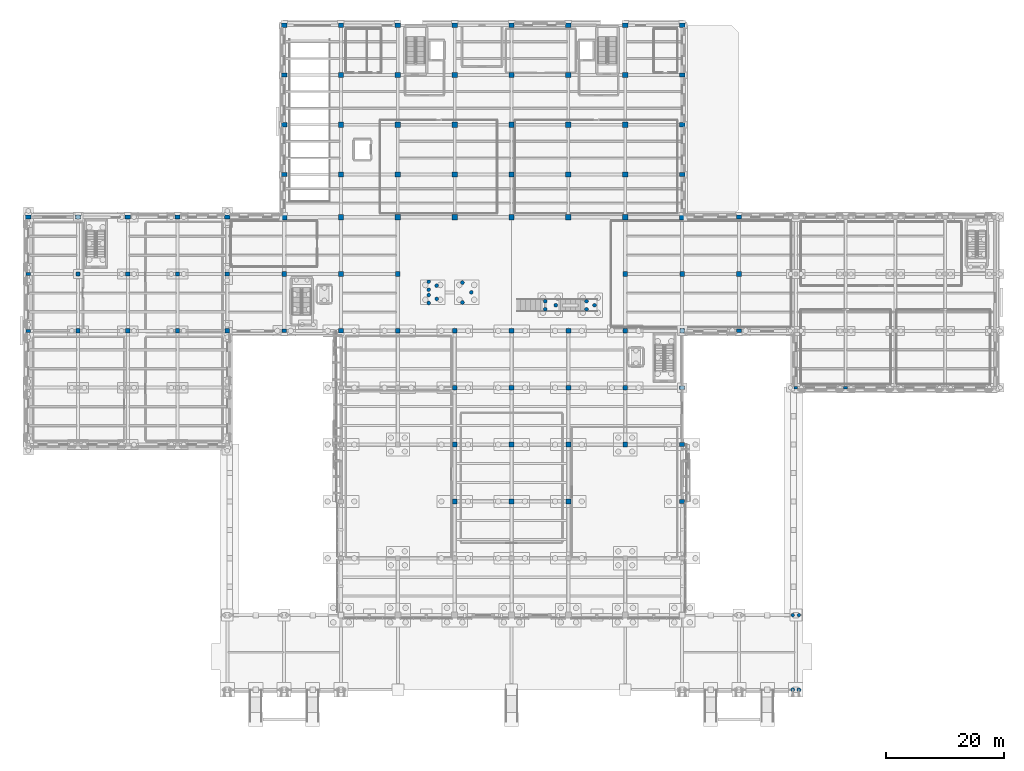
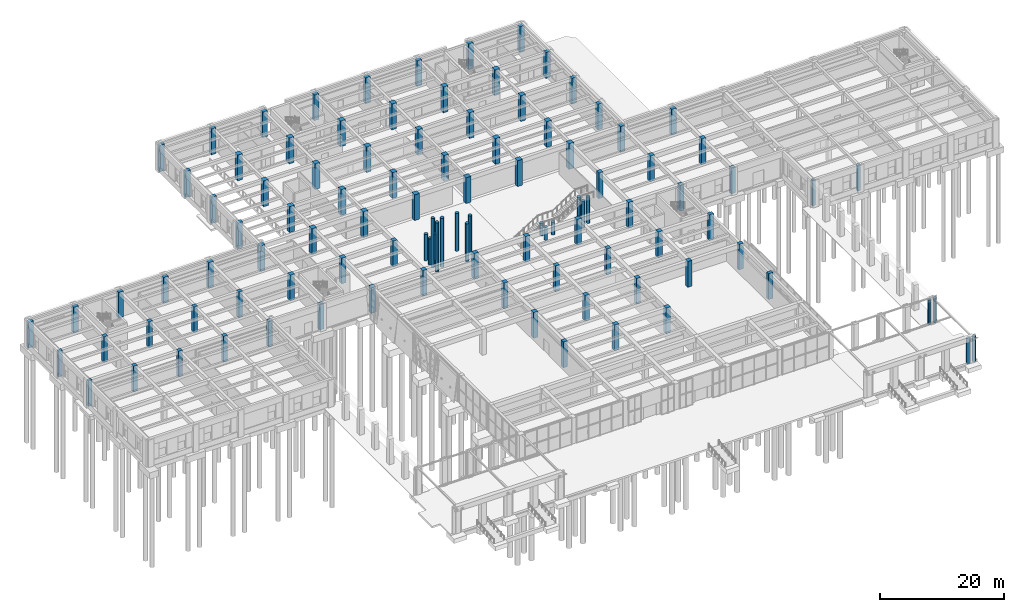
# One storey, part 10 of 51: 106 columns.
"""IFC4 building model written with IfcOpenShell, lengths in metres."""

from ifc_helpers import new_model, si_unit, direction, frame, origin, origin_2d, place, context, subcontext, project, spatial, rectangle, circle, extrude, material, material_profile, profile_set, type_object, element, save


model = new_model("IFC4")

# Units and contexts
model_context = context("Model", 3, precision=1e-05, world=origin(), true_north=direction((0.0, 1.0)))
body_context = subcontext(model_context, "Body", "Model", "MODEL_VIEW")
ifc_project = project(units=[si_unit("LENGTHUNIT", "METRE"), si_unit("AREAUNIT", "SQUARE_METRE"), si_unit("VOLUMEUNIT", "CUBIC_METRE"), si_unit("PLANEANGLEUNIT", "RADIAN"), si_unit("MASSUNIT", "GRAM", prefix="KILO")], contexts=[model_context])

# Site, building, storey
site_placement = place(None, origin())
site = spatial("IfcSite", under=ifc_project, at=site_placement, CompositionType="ELEMENT")
building_placement = place(site_placement, origin())
building = spatial("IfcBuilding", under=site, at=building_placement, Name="Bempovik Park Faculty of Sciences", CompositionType="ELEMENT")
storey_placement = place(building_placement, origin())
storey = spatial("IfcBuildingStorey", under=building, at=storey_placement, Name="L00", CompositionType="ELEMENT", Elevation=0.0)

# Columns
ifc_material_1 = material(Name="Concrete C40/50", Category="concrete")
ifc_material_profile_1 = material_profile(ifc_material_1, rectangle(XDim=0.89990234375, YDim=0.89990234375, at=origin_2d()), Name="RC 900x900")
ifc_profile_set_1 = profile_set([ifc_material_profile_1], Name="Concrete C40/50")
column_type_1 = type_object("IfcColumnType", Name="C-16 RC 900x900", PredefinedType="COLUMN", material=ifc_profile_set_1)
for number, where, z_axis, x_axis, name in (
    (1, (50.39990234375, 87.0, 0.0), (0.0, 0.0, 1.0), (1.0, 0.0, 0.0), "L00 Structural Column (50.4,87.0)"),
    (2, (60.0, 87.0, 0.0), (0.0, 0.0, 1.0), (1.0, 0.0, 0.0), "L00 Structural Column (60.0,87.0)"),
    (3, (60.0, 94.199951171875, 0.0), (0.0, 0.0, 1.0), (1.0, 0.0, 0.0), "L00 Structural Column (60.0,94.2)"),
    (4, (60.0, 102.60009765625, 0.0), (0.0, 0.0, 1.0), (1.0, 0.0, 0.0), "L00 Structural Column (60.0,102.6)"),
    (5, (60.0, 111.0, 0.0), (0.0, 0.0, 1.0), (1.0, 0.0, 0.0), "L00 Structural Column (60.0,111.0)"),
    (6, (69.60009765625, 87.0, 0.0), (0.0, 0.0, 1.0), (1.0, 0.0, 0.0), "L00 Structural Column (69.6,87.0)"),
    (7, (69.60009765625, 94.199951171875, 0.0), (0.0, 0.0, 1.0), (1.0, 0.0, 0.0), "L00 Structural Column (69.6,94.2)"),
    (8, (69.60009765625, 102.60009765625, 0.0), (0.0, 0.0, 1.0), (1.0, 0.0, 0.0), "L00 Structural Column (69.6,102.6)"),
    (9, (69.60009765625, 111.0, 0.0), (0.0, 0.0, 1.0), (1.0, 0.0, 0.0), "L00 Structural Column (69.6,111.0)"),
    (10, (79.199951171875, 87.0, 0.0), (0.0, 0.0, 1.0), (1.0, 0.0, 0.0), "L00 Structural Column (79.2,87.0)"),
    (11, (79.199951171875, 94.199951171875, 0.0), (0.0, 0.0, 1.0), (1.0, 0.0, 0.0), "L00 Structural Column (79.2,94.2)"),
    (12, (79.199951171875, 102.60009765625, 0.0), (0.0, 0.0, 1.0), (1.0, 0.0, 0.0), "L00 Structural Column (79.2,102.6)"),
    (13, (79.199951171875, 111.0, 0.0), (0.0, 0.0, 1.0), (1.0, 0.0, 0.0), "L00 Structural Column (79.2,111.0)"),
    (14, (88.800048828125, 87.0, 0.0), (0.0, 0.0, 1.0), (1.0, 0.0, 0.0), "L00 Structural Column (88.8,87.0)"),
    (15, (88.800048828125, 94.199951171875, 0.0), (0.0, 0.0, 1.0), (1.0, 0.0, 0.0), "L00 Structural Column (88.8,94.2)"),
    (16, (88.800048828125, 102.60009765625, 0.0), (0.0, 0.0, 1.0), (1.0, 0.0, 0.0), "L00 Structural Column (88.8,102.6)"),
    (17, (88.800048828125, 111.0, 0.0), (0.0, 0.0, 1.0), (1.0, 0.0, 0.0), "L00 Structural Column (88.8,111.0)"),
    (18, (98.39990234375, 87.0, 0.0), (0.0, 0.0, 1.0), (1.0, 0.0, 0.0), "L00 Structural Column (98.4,87.0)"),
    (19, (98.39990234375, 94.199951171875, 0.0), (0.0, 0.0, 1.0), (1.0, 0.0, 0.0), "L00 Structural Column (98.4,94.2)"),
    (20, (98.39990234375, 102.60009765625, 0.0), (0.0, 0.0, 1.0), (1.0, 0.0, 0.0), "L00 Structural Column (98.4,102.6)"),
    (21, (98.39990234375, 111.0, 0.0), (0.0, 0.0, 1.0), (1.0, 0.0, 0.0), "L00 Structural Column (98.4,111.0)"),
    (22, (108.0, 87.0, 0.0), (0.0, 0.0, 1.0), (1.0, 0.0, 0.0), "L00 Structural Column (108.0,87.0)"),
    (23, (108.0, 94.199951171875, 0.0), (0.0, 0.0, 1.0), (1.0, 0.0, 0.0), "L00 Structural Column (108.0,94.2)"),
    (24, (108.0, 102.60009765625, 0.0), (0.0, 0.0, 1.0), (1.0, 0.0, 0.0), "L00 Structural Column (108.0,102.6)"),
    (25, (108.0, 111.0, 0.0), (0.0, 0.0, 1.0), (1.0, 0.0, 0.0), "L00 Structural Column (108.0,111.0)"),
    (26, (117.60009765625, 87.0, 0.0), (0.0, 0.0, 1.0), (1.0, 0.0, 0.0), "L00 Structural Column (117.6,87.0)"),
):
    element("IfcColumn", number, at=place(storey_placement, frame(where, z_axis=z_axis, x_axis=x_axis)), inside=storey, type_object=column_type_1, Name=name, PredefinedType="COLUMN", context=body_context, shape_type="SweptSolid", body=[
        extrude(rectangle(XDim=0.89990234375, YDim=0.89990234375, at=origin_2d()), origin(), (0.0, 0.0, 1.0), 5.080078125),
    ])
ifc_material_profile_2 = material_profile(ifc_material_1, rectangle(XDim=0.719970703125, YDim=0.5400390625, at=origin_2d()), Name="RC 720x540")
ifc_profile_set_2 = profile_set([ifc_material_profile_2], Name="Concrete C40/50")
column_type_2 = type_object("IfcColumnType", Name="C-18 RC 720x540", PredefinedType="COLUMN", material=ifc_profile_set_2)
for number, where, z_axis, x_axis, name in (
    (27, (7.199951171875, 67.800048828125, 0.0), (0.0, 0.0, 1.0), (1.0, 0.0, 0.0), "L00 Structural Column (7.2,67.8)"),
    (28, (7.199951171875, 77.39990234375, 0.0), (0.0, 0.0, 1.0), (1.0, 0.0, 0.0), "L00 Structural Column (7.2,77.4)"),
):
    element("IfcColumn", number, at=place(storey_placement, frame(where, z_axis=z_axis, x_axis=x_axis)), inside=storey, type_object=column_type_2, Name=name, PredefinedType="COLUMN", context=body_context, shape_type="SweptSolid", body=[
        extrude(rectangle(XDim=0.719970703125, YDim=0.5400390625, at=origin_2d()), origin(), (0.0, 0.0, 1.0), 5.080078125),
    ])
ifc_material_2 = material(Name="Precast concrete C40/50", Category="concrete")
ifc_material_profile_3 = material_profile(ifc_material_2, circle(Radius=0.340087890625, at=origin_2d()), Name="RC D680")
ifc_profile_set_3 = profile_set([ifc_material_profile_3], Name="Precast concrete C40/50")
column_type_3 = type_object("IfcColumnType", Name="C-23 RC D680", PredefinedType="PILASTER", material=ifc_profile_set_3)
for number, where, z_axis, x_axis, name in (
    (29, (136.280029296875, 7.199951171875, 0.0), (0.0, 0.0, 1.0), (1.0, 0.0, 0.0), "Park Colonnade Classical Column A-136.8-W"),
    (30, (137.320068359375, 7.199951171875, 0.0), (0.0, 0.0, 1.0), (1.0, 0.0, 0.0), "Park Colonnade Classical Column A-136.8-E"),
):
    element("IfcColumn", number, at=place(storey_placement, frame(where, z_axis=z_axis, x_axis=x_axis)), inside=storey, type_object=column_type_3, Name=name, PredefinedType="PILASTER", context=body_context, shape_type="SweptSolid", body=[
        extrude(circle(Radius=0.340087890625, at=origin_2d()), origin(), (0.0, 0.0, 1.0), 4.909912109375),
    ])
ifc_material_profile_4 = material_profile(ifc_material_1, rectangle(XDim=0.89990234375, YDim=0.699951171875, at=origin_2d()), Name="RC 900x700")
ifc_profile_set_4 = profile_set([ifc_material_profile_4], Name="Concrete C40/50")
column_type_4 = type_object("IfcColumnType", Name="C-25 RC 900x700", PredefinedType="COLUMN", material=ifc_profile_set_4)
for number, where, z_axis, x_axis, name in (
    (31, (7.199951171875, 87.0, 0.0), (0.0, 0.0, 1.0), (1.0, 0.0, 0.0), "L00 Structural Column (7.2,87.0)"),
    (32, (15.60009765625, 87.0, 0.0), (0.0, 0.0, 1.0), (1.0, 0.0, 0.0), "L00 Structural Column (15.6,87.0)"),
    (33, (24.0, 87.0, 0.0), (0.0, 0.0, 1.0), (1.0, 0.0, 0.0), "L00 Structural Column (24.0,87.0)"),
    (34, (32.39990234375, 87.0, 0.0), (0.0, 0.0, 1.0), (1.0, 0.0, 0.0), "L00 Structural Column (32.4,87.0)"),
    (35, (40.800048828125, 87.0, 0.0), (0.0, 0.0, 1.0), (1.0, 0.0, 0.0), "L00 Structural Column (40.8,87.0)"),
):
    element("IfcColumn", number, at=place(storey_placement, frame(where, z_axis=z_axis, x_axis=x_axis)), inside=storey, type_object=column_type_4, Name=name, PredefinedType="COLUMN", context=body_context, shape_type="SweptSolid", body=[
        extrude(rectangle(XDim=0.89990234375, YDim=0.699951171875, at=origin_2d()), origin(), (0.0, 0.0, 1.0), 5.080078125),
    ])
for number, where, z_axis, x_axis, name in (
    (36, (50.39990234375, 94.199951171875, 0.0), (0.0, 0.0, 1.0), (1.0, 0.0, 0.0), "L00 Structural Column (50.4,94.2)"),
    (37, (50.39990234375, 102.60009765625, 0.0), (0.0, 0.0, 1.0), (1.0, 0.0, 0.0), "L00 Structural Column (50.4,102.6)"),
    (38, (50.39990234375, 111.0, 0.0), (0.0, 0.0, 1.0), (1.0, 0.0, 0.0), "L00 Structural Column (50.4,111.0)"),
    (39, (50.39990234375, 119.39990234375, 0.0), (0.0, 0.0, 1.0), (1.0, 0.0, 0.0), "L00 Structural Column (50.4,119.4)"),
):
    element("IfcColumn", number, at=place(storey_placement, frame(where, z_axis=z_axis, x_axis=x_axis)), inside=storey, type_object=column_type_4, Name=name, PredefinedType="COLUMN", context=body_context, shape_type="SweptSolid", body=[
        extrude(rectangle(XDim=0.89990234375, YDim=0.699951171875, at=origin_2d()), origin(), (0.0, 0.0, 1.0), 5.179931640625),
    ])
for number, where, z_axis, x_axis, name in (
    (40, (60.0, 119.39990234375, 0.0), (0.0, 0.0, 1.0), (1.0, 0.0, 0.0), "L00 Structural Column (60.0,119.4)"),
    (41, (69.60009765625, 119.39990234375, 0.0), (0.0, 0.0, 1.0), (1.0, 0.0, 0.0), "L00 Structural Column (69.6,119.4)"),
    (42, (79.199951171875, 119.39990234375, 0.0), (0.0, 0.0, 1.0), (1.0, 0.0, 0.0), "L00 Structural Column (79.2,119.4)"),
    (43, (88.800048828125, 119.39990234375, 0.0), (0.0, 0.0, 1.0), (1.0, 0.0, 0.0), "L00 Structural Column (88.8,119.4)"),
    (44, (98.39990234375, 119.39990234375, 0.0), (0.0, 0.0, 1.0), (1.0, 0.0, 0.0), "L00 Structural Column (98.4,119.4)"),
    (45, (108.0, 119.39990234375, 0.0), (0.0, 0.0, 1.0), (1.0, 0.0, 0.0), "L00 Structural Column (108.0,119.4)"),
    (46, (117.60009765625, 94.199951171875, 0.0), (0.0, 0.0, 1.0), (1.0, 0.0, 0.0), "L00 Structural Column (117.6,94.2)"),
    (47, (117.60009765625, 102.60009765625, 0.0), (0.0, 0.0, 1.0), (1.0, 0.0, 0.0), "L00 Structural Column (117.6,102.6)"),
    (48, (117.60009765625, 111.0, 0.0), (0.0, 0.0, 1.0), (1.0, 0.0, 0.0), "L00 Structural Column (117.6,111.0)"),
    (49, (117.60009765625, 119.39990234375, 0.0), (0.0, 0.0, 1.0), (1.0, 0.0, 0.0), "L00 Structural Column (117.6,119.4)"),
    (50, (127.199951171875, 87.0, 0.0), (0.0, 0.0, 1.0), (1.0, 0.0, 0.0), "L00 Structural Column (127.2,87.0)"),
):
    element("IfcColumn", number, at=place(storey_placement, frame(where, z_axis=z_axis, x_axis=x_axis)), inside=storey, type_object=column_type_4, Name=name, PredefinedType="COLUMN", context=body_context, shape_type="SweptSolid", body=[
        extrude(rectangle(XDim=0.89990234375, YDim=0.699951171875, at=origin_2d()), origin(), (0.0, 0.0, 1.0), 5.080078125),
    ])
ifc_material_profile_5 = material_profile(ifc_material_1, rectangle(XDim=0.719970703125, YDim=0.719970703125, at=origin_2d()), Name="RC 720x720")
ifc_profile_set_5 = profile_set([ifc_material_profile_5], Name="Concrete C40/50")
column_type_5 = type_object("IfcColumnType", Name="C-28 RC 720x720", PredefinedType="COLUMN", material=ifc_profile_set_5)
for number, where, z_axis, x_axis, name in (
    (51, (15.60009765625, 67.800048828125, 0.0), (0.0, 0.0, 1.0), (1.0, 0.0, 0.0), "L00 Structural Column (15.6,67.8)"),
    (52, (15.60009765625, 77.39990234375, 0.0), (0.0, 0.0, 1.0), (1.0, 0.0, 0.0), "L00 Structural Column (15.6,77.4)"),
    (53, (24.0, 67.800048828125, 0.0), (0.0, 0.0, 1.0), (1.0, 0.0, 0.0), "L00 Structural Column (24.0,67.8)"),
    (54, (24.0, 77.39990234375, 0.0), (0.0, 0.0, 1.0), (1.0, 0.0, 0.0), "L00 Structural Column (24.0,77.4)"),
    (55, (32.39990234375, 67.800048828125, 0.0), (0.0, 0.0, 1.0), (1.0, 0.0, 0.0), "L00 Structural Column (32.4,67.8)"),
    (56, (32.39990234375, 77.39990234375, 0.0), (0.0, 0.0, 1.0), (1.0, 0.0, 0.0), "L00 Structural Column (32.4,77.4)"),
    (57, (40.800048828125, 67.800048828125, 0.0), (0.0, 0.0, 1.0), (1.0, 0.0, 0.0), "L00 Structural Column (40.8,67.8)"),
    (58, (40.800048828125, 77.39990234375, 0.0), (0.0, 0.0, 1.0), (1.0, 0.0, 0.0), "L00 Structural Column (40.8,77.4)"),
):
    element("IfcColumn", number, at=place(storey_placement, frame(where, z_axis=z_axis, x_axis=x_axis)), inside=storey, type_object=column_type_5, Name=name, PredefinedType="COLUMN", context=body_context, shape_type="SweptSolid", body=[
        extrude(rectangle(XDim=0.719970703125, YDim=0.719970703125, at=origin_2d()), origin(), (0.0, 0.0, 1.0), 5.080078125),
    ])
ifc_material_profile_6 = material_profile(ifc_material_1, rectangle(XDim=0.800048828125, YDim=0.800048828125, at=origin_2d()), Name="RC 800x800")
ifc_profile_set_6 = profile_set([ifc_material_profile_6], Name="Concrete C40/50")
column_type_6 = type_object("IfcColumnType", Name="C-33 RC 800x800", PredefinedType="COLUMN", material=ifc_profile_set_6)
for number, where, z_axis, x_axis, name in (
    (59, (50.39990234375, 77.39990234375, 0.0), (0.0, 0.0, 1.0), (1.0, 0.0, 0.0), "L00 Structural Column (50.4,77.4)"),
    (60, (60.0, 67.800048828125, 0.0), (0.0, 0.0, 1.0), (1.0, 0.0, 0.0), "L00 Structural Column (60.0,67.8)"),
    (61, (60.0, 77.39990234375, 0.0), (0.0, 0.0, 1.0), (1.0, 0.0, 0.0), "L00 Structural Column (60.0,77.4)"),
    (62, (69.60009765625, 67.800048828125, 0.0), (0.0, 0.0, 1.0), (1.0, 0.0, 0.0), "L00 Structural Column (69.6,67.8)"),
    (63, (69.60009765625, 77.39990234375, 0.0), (0.0, 0.0, 1.0), (1.0, 0.0, 0.0), "L00 Structural Column (69.6,77.4)"),
    (64, (79.199951171875, 39.0, 0.0), (0.0, 0.0, 1.0), (1.0, 0.0, 0.0), "L00 Structural Column (79.2,39.0)"),
    (65, (79.199951171875, 48.60009765625, 0.0), (0.0, 0.0, 1.0), (1.0, 0.0, 0.0), "L00 Structural Column (79.2,48.6)"),
    (66, (79.199951171875, 58.199951171875, 0.0), (0.0, 0.0, 1.0), (1.0, 0.0, 0.0), "L00 Structural Column (79.2,58.2)"),
    (67, (79.199951171875, 67.800048828125, 0.0), (0.0, 0.0, 1.0), (1.0, 0.0, 0.0), "L00 Structural Column (79.2,67.8)"),
    (68, (88.800048828125, 39.0, 0.0), (0.0, 0.0, 1.0), (1.0, 0.0, 0.0), "L00 Structural Column (88.8,39.0)"),
    (69, (88.800048828125, 48.60009765625, 0.0), (0.0, 0.0, 1.0), (1.0, 0.0, 0.0), "L00 Structural Column (88.8,48.6)"),
    (70, (88.800048828125, 58.199951171875, 0.0), (0.0, 0.0, 1.0), (1.0, 0.0, 0.0), "L00 Structural Column (88.8,58.2)"),
    (71, (88.800048828125, 67.800048828125, 0.0), (0.0, 0.0, 1.0), (1.0, 0.0, 0.0), "L00 Structural Column (88.8,67.8)"),
    (72, (98.39990234375, 39.0, 0.0), (0.0, 0.0, 1.0), (1.0, 0.0, 0.0), "L00 Structural Column (98.4,39.0)"),
    (73, (98.39990234375, 48.60009765625, 0.0), (0.0, 0.0, 1.0), (1.0, 0.0, 0.0), "L00 Structural Column (98.4,48.6)"),
    (74, (98.39990234375, 58.199951171875, 0.0), (0.0, 0.0, 1.0), (1.0, 0.0, 0.0), "L00 Structural Column (98.4,58.2)"),
    (75, (98.39990234375, 67.800048828125, 0.0), (0.0, 0.0, 1.0), (1.0, 0.0, 0.0), "L00 Structural Column (98.4,67.8)"),
    (76, (108.0, 48.60009765625, 0.0), (0.0, 0.0, 1.0), (1.0, 0.0, 0.0), "L00 Structural Column (108.0,48.6)"),
    (77, (108.0, 58.199951171875, 0.0), (0.0, 0.0, 1.0), (1.0, 0.0, 0.0), "L00 Structural Column (108.0,58.2)"),
    (78, (108.0, 67.800048828125, 0.0), (0.0, 0.0, 1.0), (1.0, 0.0, 0.0), "L00 Structural Column (108.0,67.8)"),
    (79, (108.0, 77.39990234375, 0.0), (0.0, 0.0, 1.0), (1.0, 0.0, 0.0), "L00 Structural Column (108.0,77.4)"),
    (80, (117.60009765625, 67.800048828125, 0.0), (0.0, 0.0, 1.0), (1.0, 0.0, 0.0), "L00 Structural Column (117.6,67.8)"),
    (81, (117.60009765625, 77.39990234375, 0.0), (0.0, 0.0, 1.0), (1.0, 0.0, 0.0), "L00 Structural Column (117.6,77.4)"),
    (82, (127.199951171875, 77.39990234375, 0.0), (0.0, 0.0, 1.0), (1.0, 0.0, 0.0), "L00 Structural Column (127.2,77.4)"),
):
    element("IfcColumn", number, at=place(storey_placement, frame(where, z_axis=z_axis, x_axis=x_axis)), inside=storey, type_object=column_type_6, Name=name, PredefinedType="COLUMN", context=body_context, shape_type="SweptSolid", body=[
        extrude(rectangle(XDim=0.800048828125, YDim=0.800048828125, at=origin_2d()), origin(), (0.0, 0.0, 1.0), 5.080078125),
    ])
ifc_material_profile_7 = material_profile(ifc_material_1, circle(Radius=0.320068359375, at=origin_2d()), Name="RC D640")
ifc_profile_set_7 = profile_set([ifc_material_profile_7], Name="Concrete C40/50")
column_type_7 = type_object("IfcColumnType", Name="C-52 RC D640", PredefinedType="COLUMN", material=ifc_profile_set_7)
for number, where, z_axis, x_axis, name in (
    (83, (94.5, 71.449951171875, 0.0), (0.0, 0.0, 1.0), (1.0, 0.0, 0.0), "Atrium Monumental Stair Mid-Landing Column SW"),
    (84, (94.5, 72.800048828125, 0.0), (0.0, 0.0, 1.0), (1.0, 0.0, 0.0), "Atrium Monumental Stair Mid-Landing Column NW"),
    (85, (96.25, 72.125, 0.0), (0.0, 0.0, 1.0), (1.0, 0.0, 0.0), "Atrium Monumental Stair Mid-Landing Column E"),
):
    element("IfcColumn", number, at=place(storey_placement, frame(where, z_axis=z_axis, x_axis=x_axis)), inside=storey, type_object=column_type_7, Name=name, PredefinedType="COLUMN", context=body_context, shape_type="SweptSolid", body=[
        extrude(circle(Radius=0.320068359375, at=origin_2d()), origin(), (0.0, 0.0, 1.0), 2.5),
    ])
for number, where, z_axis, x_axis, name in (
    (86, (101.449951171875, 71.449951171875, 0.0), (0.0, 0.0, 1.0), (1.0, 0.0, 0.0), "Atrium Monumental Stair Arrival Column ASW"),
    (87, (101.449951171875, 72.800048828125, 0.0), (0.0, 0.0, 1.0), (1.0, 0.0, 0.0), "Atrium Monumental Stair Arrival Column ANW"),
    (88, (102.800048828125, 72.125, 0.0), (0.0, 0.0, 1.0), (1.0, 0.0, 0.0), "Atrium Monumental Stair Arrival Column AE"),
    (89, (74.800048828125, 74.75, 0.0), (0.0, 0.0, 1.0), (1.0, 0.0, 0.0), "Atrium Feature Stair Pier DSW"),
    (90, (74.800048828125, 76.10009765625, 0.0), (0.0, 0.0, 1.0), (1.0, 0.0, 0.0), "Atrium Feature Stair Pier DNW"),
    (91, (76.14990234375, 75.4375, 0.0), (0.0, 0.0, 1.0), (1.0, 0.0, 0.0), "Atrium Feature Stair Pier DE"),
):
    element("IfcColumn", number, at=place(storey_placement, frame(where, z_axis=z_axis, x_axis=x_axis)), inside=storey, type_object=column_type_7, Name=name, PredefinedType="COLUMN", context=body_context, shape_type="SweptSolid", body=[
        extrude(circle(Radius=0.320068359375, at=origin_2d()), origin(), (0.0, 0.0, 1.0), 5.199951171875),
    ])
for number, where, z_axis, x_axis, name in (
    (92, (80.5, 72.60009765625, 0.0), (0.0, 0.0, 1.0), (1.0, 0.0, 0.0), "Atrium Feature Stair Pier MSW"),
    (93, (80.5, 75.949951171875, 0.0), (0.0, 0.0, 1.0), (1.0, 0.0, 0.0), "Atrium Feature Stair Pier MNW"),
    (94, (82.0, 74.300048828125, 0.0), (0.0, 0.0, 1.0), (1.0, 0.0, 0.0), "Atrium Feature Stair Pier ME"),
):
    element("IfcColumn", number, at=place(storey_placement, frame(where, z_axis=z_axis, x_axis=x_axis)), inside=storey, type_object=column_type_7, Name=name, PredefinedType="COLUMN", context=body_context, shape_type="SweptSolid", body=[
        extrude(circle(Radius=0.320068359375, at=origin_2d()), origin(), (0.0, 0.0, 1.0), 7.449951171875),
    ])
for number, where, z_axis, x_axis, name in (
    (95, (74.800048828125, 72.5, 0.0), (0.0, 0.0, 1.0), (1.0, 0.0, 0.0), "Atrium Feature Stair Pier ASW"),
    (96, (74.800048828125, 73.85009765625, 0.0), (0.0, 0.0, 1.0), (1.0, 0.0, 0.0), "Atrium Feature Stair Pier ANW"),
    (97, (76.14990234375, 73.1875, 0.0), (0.0, 0.0, 1.0), (1.0, 0.0, 0.0), "Atrium Feature Stair Pier AE"),
):
    element("IfcColumn", number, at=place(storey_placement, frame(where, z_axis=z_axis, x_axis=x_axis)), inside=storey, type_object=column_type_7, Name=name, PredefinedType="COLUMN", context=body_context, shape_type="SweptSolid", body=[
        extrude(circle(Radius=0.320068359375, at=origin_2d()), origin(), (0.0, 0.0, 1.0), 9.699951171875),
    ])
ifc_material_profile_8 = material_profile(ifc_material_1, rectangle(XDim=0.800048828125, YDim=0.60009765625, at=origin_2d()), Name="RC 800x600")
ifc_profile_set_8 = profile_set([ifc_material_profile_8], Name="Concrete C40/50")
column_type_8 = type_object("IfcColumnType", Name="C-55 RC 800x600", PredefinedType="COLUMN", material=ifc_profile_set_8)
for number, where, z_axis, x_axis, name in (
    (98, (50.39990234375, 67.800048828125, 0.0), (0.0, 0.0, 1.0), (1.0, 0.0, 0.0), "L00 Structural Column (50.4,67.8)"),
    (99, (127.199951171875, 67.800048828125, 0.0), (0.0, 0.0, 1.0), (1.0, 0.0, 0.0), "L00 Structural Column (127.2,67.8)"),
):
    element("IfcColumn", number, at=place(storey_placement, frame(where, z_axis=z_axis, x_axis=x_axis)), inside=storey, type_object=column_type_8, Name=name, PredefinedType="COLUMN", context=body_context, shape_type="SweptSolid", body=[
        extrude(rectangle(XDim=0.800048828125, YDim=0.60009765625, at=origin_2d()), origin(), (0.0, 0.0, 1.0), 5.080078125),
    ])
ifc_material_3 = material(Name="Concrete C35/45", Category="concrete")
ifc_material_profile_9 = material_profile(ifc_material_3, rectangle(XDim=0.6201171875, YDim=0.4599609375, at=origin_2d()), Name="RC 620x460")
ifc_profile_set_9 = profile_set([ifc_material_profile_9], Name="Concrete C35/45")
column_type_9 = type_object("IfcColumnType", Name="C-59 RC 620x460", PredefinedType="COLUMN", material=ifc_profile_set_9)
for number, where, z_axis, x_axis, name in (
    (100, (136.800048828125, 58.199951171875, 0.0), (0.0, 0.0, 1.0), (1.0, 0.0, 0.0), "L00 Structural Column (136.8,58.2)"),
    (101, (145.199951171875, 58.199951171875, 0.0), (0.0, 0.0, 1.0), (1.0, 0.0, 0.0), "L00 Structural Column (145.2,58.2)"),
):
    element("IfcColumn", number, at=place(storey_placement, frame(where, z_axis=z_axis, x_axis=x_axis)), inside=storey, type_object=column_type_9, Name=name, PredefinedType="COLUMN", context=body_context, shape_type="SweptSolid", body=[
        extrude(rectangle(XDim=0.6201171875, YDim=0.4599609375, at=origin_2d()), origin(), (0.0, 0.0, 1.0), 5.080078125),
    ])
ifc_material_profile_10 = material_profile(ifc_material_2, circle(Radius=0.2900390625, at=origin_2d()), Name="RC D580")
ifc_profile_set_10 = profile_set([ifc_material_profile_10], Name="Precast concrete C40/50")
column_type_10 = type_object("IfcColumnType", Name="C-66 RC D580", PredefinedType="PILASTER", material=ifc_profile_set_10)
for number, where, z_axis, x_axis, name in (
    (102, (136.280029296875, 19.800048828125, 0.0), (0.0, 0.0, 1.0), (1.0, 0.0, 0.0), "Park Colonnade Classical Column B-136.8-W"),
    (103, (137.320068359375, 19.800048828125, 0.0), (0.0, 0.0, 1.0), (1.0, 0.0, 0.0), "Park Colonnade Classical Column B-136.8-E"),
):
    element("IfcColumn", number, at=place(storey_placement, frame(where, z_axis=z_axis, x_axis=x_axis)), inside=storey, type_object=column_type_10, Name=name, PredefinedType="PILASTER", context=body_context, shape_type="SweptSolid", body=[
        extrude(circle(Radius=0.2900390625, at=origin_2d()), origin(), (0.0, 0.0, 1.0), 4.8701171875),
    ])
ifc_material_profile_11 = material_profile(ifc_material_1, rectangle(XDim=0.85009765625, YDim=0.64990234375, at=origin_2d()), Name="RC 850x650")
ifc_profile_set_11 = profile_set([ifc_material_profile_11], Name="Concrete C40/50")
column_type_11 = type_object("IfcColumnType", Name="C-71 RC 850x650", PredefinedType="COLUMN", material=ifc_profile_set_11)
for number, where, z_axis, x_axis, name in (
    (104, (117.60009765625, 39.0, 0.0), (0.0, 0.0, 1.0), (1.0, 0.0, 0.0), "L00 Structural Column (117.6,39.0)"),
    (105, (117.60009765625, 48.60009765625, 0.0), (0.0, 0.0, 1.0), (1.0, 0.0, 0.0), "L00 Structural Column (117.6,48.6)"),
    (106, (117.60009765625, 58.199951171875, 0.0), (0.0, 0.0, 1.0), (1.0, 0.0, 0.0), "L00 Structural Column (117.6,58.2)"),
):
    element("IfcColumn", number, at=place(storey_placement, frame(where, z_axis=z_axis, x_axis=x_axis)), inside=storey, type_object=column_type_11, Name=name, PredefinedType="COLUMN", context=body_context, shape_type="SweptSolid", body=[
        extrude(rectangle(XDim=0.85009765625, YDim=0.64990234375, at=origin_2d()), origin(), (0.0, 0.0, 1.0), 5.080078125),
    ])

save(model, "model.ifc")
